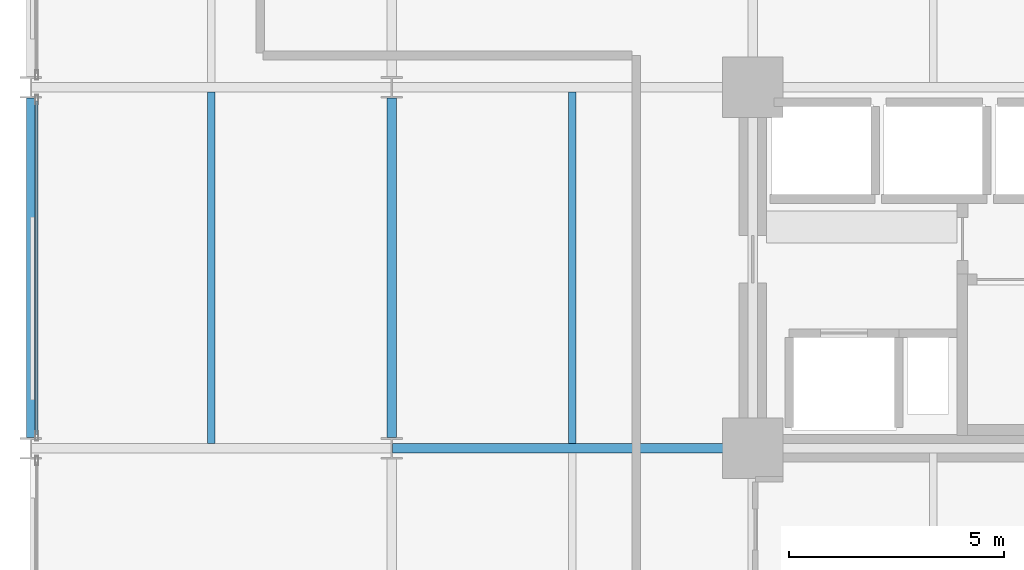
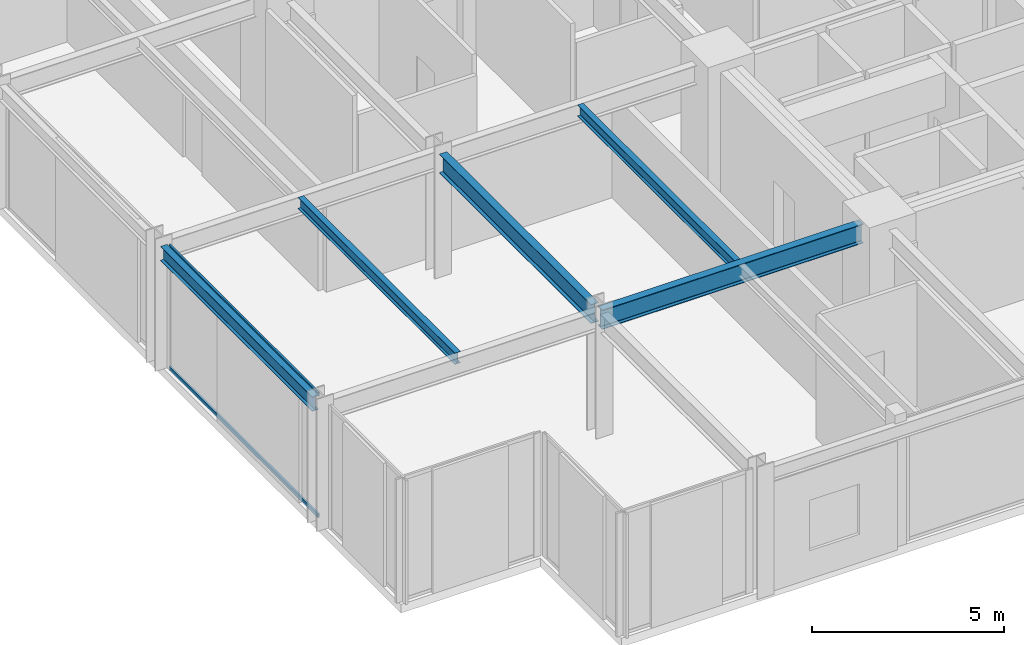
# One storey, part 3 of 25: 5 beams, 2 members, 1 element without a shape of its own.
"""IFC4 building model written with IfcOpenShell, lengths in metres."""

from ifc_helpers import new_model, si_unit, direction, frame, origin, origin_2d, place, context, subcontext, project, spatial, hollow_rectangle, i_section, extrude, material, layer, layer_set, material_profile, profile_set, type_object, element, aggregate, save


model = new_model("IFC4")

# Units and contexts
model_context = context("Model", 3, precision=1e-05, world=origin(), true_north=direction((0.0, 1.0)))
body_context = subcontext(model_context, "Body", "Model", "MODEL_VIEW")
ifc_project = project(units=[si_unit("LENGTHUNIT", "METRE"), si_unit("AREAUNIT", "SQUARE_METRE"), si_unit("VOLUMEUNIT", "CUBIC_METRE"), si_unit("PLANEANGLEUNIT", "RADIAN"), si_unit("MASSUNIT", "GRAM", prefix="KILO")], contexts=[model_context])

# Site, building, storey
site_placement = place(None, origin())
site = spatial("IfcSite", under=ifc_project, at=site_placement, CompositionType="ELEMENT")
building_placement = place(site_placement, origin())
building = spatial("IfcBuilding", under=site, at=building_placement, Name="Nerrivon Quay Data Exchange", CompositionType="ELEMENT")
storey_placement = place(building_placement, frame((0.0, 0.0, 58.39990234375)))
storey = spatial("IfcBuildingStorey", under=building, at=storey_placement, Name="L13", CompositionType="ELEMENT", Elevation=58.39990234375)

# Beams
ifc_material_1 = material(Name="Steel Grade 350", Category="steel")
ifc_material_profile_1 = material_profile(ifc_material_1, i_section(OverallWidth=0.22900390625, OverallDepth=0.612060546875, WebThickness=0.011962890625, FlangeThickness=0.01953125, FilletRadius=0.013916015625, at=origin_2d()), Name="610UB125")
ifc_profile_set_1 = profile_set([ifc_material_profile_1], Name="Steel Grade 350")
beam_type_1 = type_object("IfcBeamType", Name="BM-G1-610UB125", PredefinedType="BEAM", material=ifc_profile_set_1)
beam_1_placement = place(storey_placement, frame((8.4140625, 8.39990234375, 3.619140625), z_axis=(1.0, 0.0, 0.0), x_axis=(0.0, 1.0, 0.0)))
element("IfcBeam", 1, at=beam_1_placement, inside=storey, type_object=beam_type_1, Name="L13 EW Girder Y=8.4 (8.4..16.8)", PredefinedType="BEAM", context=body_context, shape_type="SweptSolid", body=[
    extrude(i_section(OverallWidth=0.22900390625, OverallDepth=0.612060546875, WebThickness=0.011962890625, FlangeThickness=0.01953125, FilletRadius=0.013916015625, at=origin_2d()), origin(), (0.0, 0.0, 1.0), 7.845947265625),
])
ifc_material_profile_2 = material_profile(ifc_material_1, i_section(OverallWidth=0.22802734375, OverallDepth=0.60205078125, WebThickness=0.010498046875, FlangeThickness=0.014892578125, FilletRadius=0.013916015625, at=origin_2d()), Name="610UB101")
ifc_profile_set_2 = profile_set([ifc_material_profile_2], Name="Steel Grade 350")
beam_type_2 = type_object("IfcBeamType", Name="BM-G2-610UB101", PredefinedType="BEAM", material=ifc_profile_set_2)
beam_2_placement = place(storey_placement, frame((8.39990234375, 8.64990234375, 3.6240234375), z_axis=(0.0, 1.0, 0.0), x_axis=(-1.0, 0.0, 0.0)))
element("IfcBeam", 2, at=beam_2_placement, inside=storey, type_object=beam_type_2, Name="L13 NS Girder X=8.4 (8.4..16.8)", PredefinedType="BEAM", context=body_context, shape_type="SweptSolid", body=[
    extrude(i_section(OverallWidth=0.22802734375, OverallDepth=0.60205078125, WebThickness=0.010498046875, FlangeThickness=0.014892578125, FilletRadius=0.013916015625, at=origin_2d()), origin(), (0.0, 0.0, 1.0), 7.900146484375),
])
ifc_material_profile_3 = material_profile(ifc_material_1, i_section(OverallWidth=0.172119140625, OverallDepth=0.35888671875, WebThickness=0.008056640625, FlangeThickness=0.012939453125, FilletRadius=0.011474609375, at=origin_2d()), Name="360UB56.7")
ifc_profile_set_3 = profile_set([ifc_material_profile_3], Name="Steel Grade 350")
beam_type_3 = type_object("IfcBeamType", Name="BM-J3-360UB57", PredefinedType="JOIST", material=ifc_profile_set_3)
for number, where, z_axis, x_axis, name in (
    (3, (4.199951171875, 8.514404296875, 3.74560546875), (0.0, 1.0, 0.0), (-1.0, 0.0, 0.0), "L13 Secondary Joist X=4.2 (8.4..16.8)"),
    (4, (12.60009765625, 8.514404296875, 3.74560546875), (0.0, 1.0, 0.0), (-1.0, 0.0, 0.0), "L13 Secondary Joist X=12.6 (8.4..16.8)"),
):
    element("IfcBeam", number, at=place(storey_placement, frame(where, z_axis=z_axis, x_axis=x_axis)), inside=storey, type_object=beam_type_3, Name=name, PredefinedType="JOIST", context=body_context, shape_type="SweptSolid", body=[
        extrude(i_section(OverallWidth=0.172119140625, OverallDepth=0.35888671875, WebThickness=0.008056640625, FlangeThickness=0.012939453125, FilletRadius=0.011474609375, at=origin_2d()), origin(), (0.0, 0.0, 1.0), 8.171142578125),
    ])
ifc_material_profile_4 = material_profile(ifc_material_1, i_section(OverallWidth=0.18994140625, OverallDepth=0.4541015625, WebThickness=0.008544921875, FlangeThickness=0.0126953125, FilletRadius=0.011474609375, at=origin_2d()), Name="460UB67.1")
ifc_profile_set_4 = profile_set([ifc_material_profile_4], Name="Steel Grade 350")
beam_type_4 = type_object("IfcBeamType", Name="BM-SP1-460UB67", PredefinedType="SPANDREL", material=ifc_profile_set_4)
beam_3_placement = place(storey_placement, frame((0.0, 8.64990234375, 3.697998046875), z_axis=(0.0, 1.0, 0.0), x_axis=(-1.0, 0.0, 0.0)))
element("IfcBeam", 5, at=beam_3_placement, inside=storey, type_object=beam_type_4, Name="L13 NS Girder X=0.0 (8.4..16.8)", PredefinedType="SPANDREL", context=body_context, shape_type="SweptSolid", body=[
    extrude(i_section(OverallWidth=0.18994140625, OverallDepth=0.4541015625, WebThickness=0.008544921875, FlangeThickness=0.0126953125, FilletRadius=0.011474609375, at=origin_2d()), origin(), (0.0, 0.0, 1.0), 7.900146484375),
])

# Curtain wall, members
ifc_material_2 = material(Name="Anodised aluminium 6063-T6", Category="aluminium")
ifc_layer = layer(ifc_material_2, 0.219970703125)
ifc_layer_set = layer_set([ifc_layer], Name="Anodised aluminium 6063-T6")
curtain_wall_type = type_object("IfcCurtainWallType", Name="CW-SYS-01", PredefinedType="NOTDEFINED", material=ifc_layer_set)
curtain_wall_placement = place(storey_placement, origin())
curtain_wall = element("IfcCurtainWall", 6, at=curtain_wall_placement, inside=storey, type_object=curtain_wall_type, Name="L13 Unitised Curtain Wall 14", PredefinedType="NOTDEFINED")
ifc_material_profile_5 = material_profile(ifc_material_2, hollow_rectangle(XDim=0.06005859375, YDim=0.1201171875, WallThickness=0.003173828125, at=origin_2d()), Name="ALU-TRAN-120x60")
ifc_profile_set_5 = profile_set([ifc_material_profile_5], Name="Anodised aluminium 6063-T6")
member_type = type_object("IfcMemberType", Name="CWT-120x60", PredefinedType="USERDEFINED", material=ifc_profile_set_5)
member_1_placement = place(storey_placement, frame((0.139892578125, 8.72509765625, 0.03271484375), z_axis=(0.0, 1.0, 0.0), x_axis=(-1.0, 0.0, 0.0)))
member_1 = element("IfcMember", 7, at=member_1_placement, type_object=member_type, Name="CW01 transom 1.1", ObjectType="TRANSOM", PredefinedType="USERDEFINED", context=body_context, shape_type="SweptSolid", body=[
    extrude(hollow_rectangle(XDim=0.06005859375, YDim=0.1201171875, WallThickness=0.003173828125, at=origin_2d()), origin(), (0.0, 0.0, 1.0), 7.75),
])
member_2_placement = place(storey_placement, frame((0.139892578125, 8.72509765625, 3.892578125), z_axis=(0.0, 1.0, 0.0), x_axis=(-1.0, 0.0, 0.0)))
member_2 = element("IfcMember", 8, at=member_2_placement, type_object=member_type, Name="CW01 transom 1.2", ObjectType="TRANSOM", PredefinedType="USERDEFINED", context=body_context, shape_type="SweptSolid", body=[
    extrude(hollow_rectangle(XDim=0.06005859375, YDim=0.1201171875, WallThickness=0.003173828125, at=origin_2d()), origin(), (0.0, 0.0, 1.0), 7.75),
])
aggregate(curtain_wall, [member_1, member_2])

save(model, "model.ifc")
